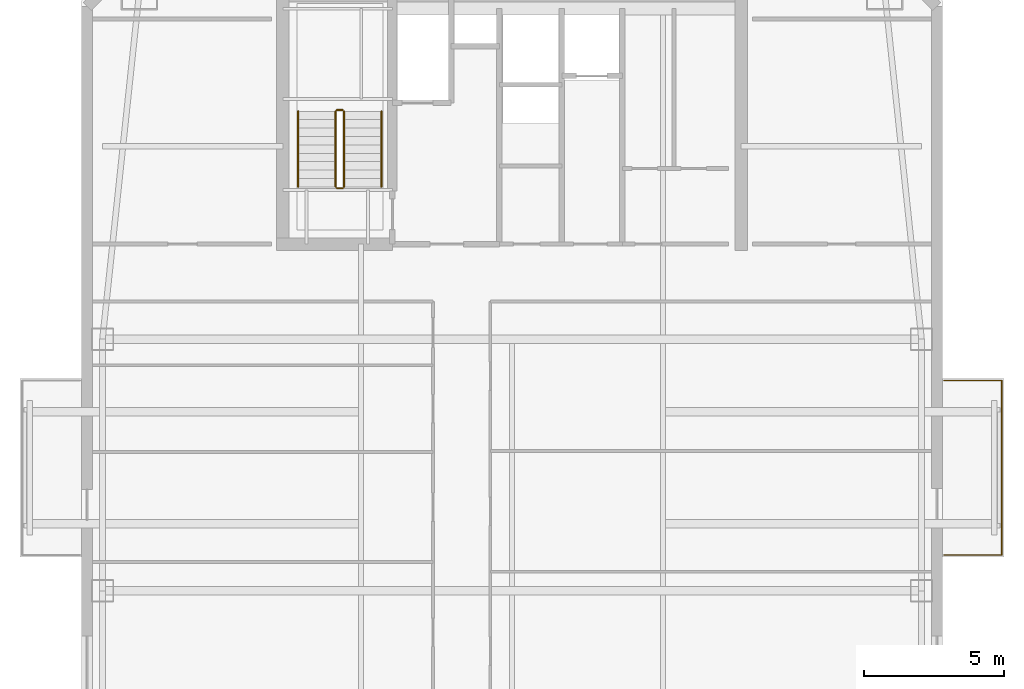
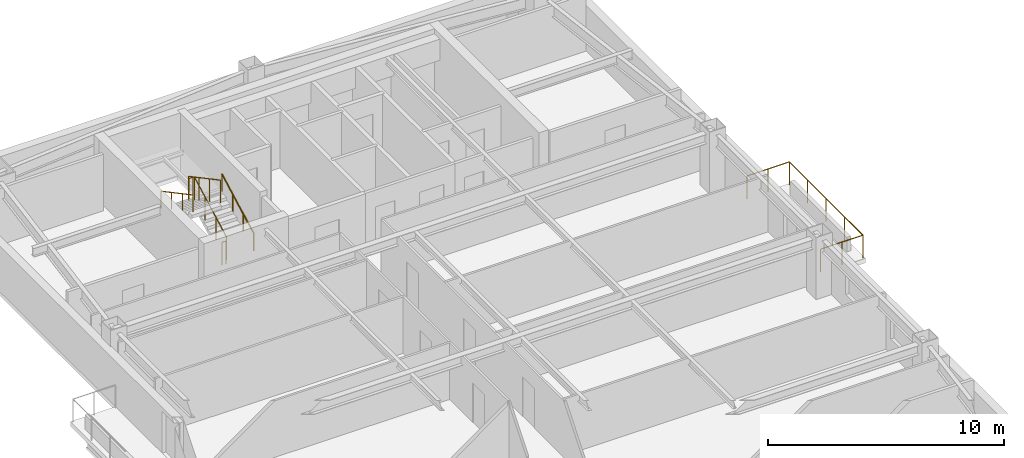
# One storey, part 6 of 6: 7 railings.
"""IFC4 building model written with IfcOpenShell, lengths in metres."""

from ifc_helpers import new_model, si_unit, direction, frame, origin, origin_2d, place, context, subcontext, project, spatial, circle, extrude, material, type_object, element, save


model = new_model("IFC4")

# Units and contexts
model_context = context("Model", 3, precision=1e-05, world=origin(), true_north=direction((0.0, 1.0)))
body_context = subcontext(model_context, "Body", "Model", "MODEL_VIEW")
ifc_project = project(units=[si_unit("LENGTHUNIT", "METRE"), si_unit("AREAUNIT", "SQUARE_METRE"), si_unit("VOLUMEUNIT", "CUBIC_METRE"), si_unit("PLANEANGLEUNIT", "RADIAN"), si_unit("MASSUNIT", "GRAM", prefix="KILO")], contexts=[model_context])

# Site, building, storey
site_placement = place(None, origin())
site = spatial("IfcSite", under=ifc_project, at=site_placement, CompositionType="ELEMENT")
building_placement = place(site_placement, origin())
building = spatial("IfcBuilding", under=site, at=building_placement, Name="Qiaolan Cultural Towers", CompositionType="ELEMENT")
storey_placement = place(building_placement, frame((0.0, 0.0, 260.0)))
storey = spatial("IfcBuildingStorey", under=building, at=storey_placement, Name="L71", CompositionType="ELEMENT", Elevation=260.0)

# Railings
ifc_material_1 = material(Name="Laminated SentryGlas & Stainless Steel S31608 Balustrade", Category="steel")
railing_type_1 = type_object("IfcRailingType", Name="GRD-TERR-1200", PredefinedType="BALUSTRADE", material=ifc_material_1)
railing_1_placement = place(storey_placement, frame((45.449951171875, 35.280029296875, 0.0)))
element("IfcRailing", 1, at=railing_1_placement, inside=storey, type_object=railing_type_1, Name="L71 T1 Tree Balcony Guardrail E", PredefinedType="BALUSTRADE", context=body_context, shape_type="SweptSolid", body=[
    extrude(circle(Radius=0.02392578125, at=origin_2d()), frame((0.0, 0.0, 1.17578125), z_axis=(1.0, 0.0, 0.0), x_axis=(0.0, 1.0, 0.0)), (0.0, 0.0, 1.0), 2.070068359375),
    extrude(circle(Radius=0.02392578125, at=origin_2d()), frame((2.070068359375, 0.0, 1.17578125), z_axis=(0.0, 1.0, 0.0), x_axis=(-1.0, 0.0, 0.0)), (0.0, 0.0, 1.0), 6.239990234375),
    extrude(circle(Radius=0.02392578125, at=origin_2d()), frame((2.070068359375, 6.239990234375, 1.17578125), z_axis=(-1.0, 0.0, 0.0), x_axis=(0.0, -1.0, 0.0)), (0.0, 0.0, 1.0), 2.070068359375),
    extrude(circle(Radius=0.02099609375, at=origin_2d()), origin(), (0.0, 0.0, 1.0), 1.15185546875),
    extrude(circle(Radius=0.02099609375, at=origin_2d()), frame((1.03515625, 0.0, 0.0)), (0.0, 0.0, 1.0), 1.15185546875),
    extrude(circle(Radius=0.02099609375, at=origin_2d()), frame((2.070068359375, 0.0, 0.0)), (0.0, 0.0, 1.0), 1.15185546875),
    extrude(circle(Radius=0.02099609375, at=origin_2d()), frame((2.070068359375, 1.56005859375, 0.0)), (0.0, 0.0, 1.0), 1.15185546875),
    extrude(circle(Radius=0.02099609375, at=origin_2d()), frame((2.070068359375, 3.1201171875, 0.0)), (0.0, 0.0, 1.0), 1.15185546875),
    extrude(circle(Radius=0.02099609375, at=origin_2d()), frame((2.070068359375, 4.679931640625, 0.0)), (0.0, 0.0, 1.0), 1.15185546875),
    extrude(circle(Radius=0.02099609375, at=origin_2d()), frame((2.070068359375, 6.239990234375, 0.0)), (0.0, 0.0, 1.0), 1.15185546875),
    extrude(circle(Radius=0.02099609375, at=origin_2d()), frame((1.03515625, 6.239990234375, 0.0)), (0.0, 0.0, 1.0), 1.15185546875),
    extrude(circle(Radius=0.02099609375, at=origin_2d()), frame((0.0, 6.239990234375, 0.0)), (0.0, 0.0, 1.0), 1.15185546875),
])
ifc_material_2 = material(Name="Galvanized Painted Steel Stair Guardrail", Category="steel")
railing_type_2 = type_object("IfcRailingType", Name="RL-STAIR-GRD", PredefinedType="GUARDRAIL", material=ifc_material_2)
railing_2_placement = place(storey_placement, frame((23.989990234375, 48.449951171875, 0.159912109375)))
element("IfcRailing", 2, at=railing_2_placement, inside=storey, type_object=railing_type_2, Name="L71 ST-W2 stair guard 1", PredefinedType="GUARDRAIL", context=body_context, shape_type="SweptSolid", body=[
    extrude(circle(Radius=0.02392578125, at=origin_2d()), frame((0.0, 0.0, 1.17578125), z_axis=(0.0, 0.882324228566, 0.470642067484), x_axis=(-1.0, 0.0, 0.0)), (0.0, 0.0, 1.0), 3.06005859375),
    extrude(circle(Radius=0.02099609375, at=origin_2d()), origin(), (0.0, 0.0, 1.0), 1.15185546875),
    extrude(circle(Radius=0.02099609375, at=origin_2d()), frame((0.0, 0.89990234375, 0.47998046875)), (0.0, 0.0, 1.0), 1.15185546875),
    extrude(circle(Radius=0.02099609375, at=origin_2d()), frame((0.0, 1.800048828125, 0.960205078125)), (0.0, 0.0, 1.0), 1.15185546875),
    extrude(circle(Radius=0.02099609375, at=origin_2d()), frame((0.0, 2.699951171875, 1.440185546875)), (0.0, 0.0, 1.0), 1.15185546875),
])
railing_3_placement = place(storey_placement, frame((23.93994140625, 51.199951171875, 1.60009765625)))
element("IfcRailing", 3, at=railing_3_placement, inside=storey, type_object=railing_type_2, Name="L71 ST-W2 stair guard 2", PredefinedType="GUARDRAIL", context=body_context, shape_type="SweptSolid", body=[
    extrude(circle(Radius=0.02392578125, at=origin_2d()), frame((0.0, 0.0, 1.17578125), z_axis=(-1.0, 0.0, 0.0), x_axis=(0.0, -1.0, 0.0)), (0.0, 0.0, 1.0), 0.199951171875),
    extrude(circle(Radius=0.02099609375, at=origin_2d()), origin(), (0.0, 0.0, 1.0), 1.15185546875),
    extrude(circle(Radius=0.02099609375, at=origin_2d()), frame((-0.199951171875, 0.0, 0.0)), (0.0, 0.0, 1.0), 1.15185546875),
])
railing_4_placement = place(storey_placement, frame((23.68994140625, 51.14990234375, 1.760009765625)))
element("IfcRailing", 4, at=railing_4_placement, inside=storey, type_object=railing_type_2, Name="L71 ST-W2 stair guard 3", PredefinedType="GUARDRAIL", context=body_context, shape_type="SweptSolid", body=[
    extrude(circle(Radius=0.02392578125, at=origin_2d()), frame((0.0, 0.0, 1.17578125), z_axis=(0.0, -0.882357358376, 0.470579952952), x_axis=(1.0, 0.0, 0.0)), (0.0, 0.0, 1.0), 3.059814453125),
    extrude(circle(Radius=0.02099609375, at=origin_2d()), origin(), (0.0, 0.0, 1.0), 1.15185546875),
    extrude(circle(Radius=0.02099609375, at=origin_2d()), frame((0.0, -0.89990234375, 0.47998046875)), (0.0, 0.0, 1.0), 1.15185546875),
    extrude(circle(Radius=0.02099609375, at=origin_2d()), frame((0.0, -1.800048828125, 0.9599609375)), (0.0, 0.0, 1.0), 1.15185546875),
    extrude(circle(Radius=0.02099609375, at=origin_2d()), frame((0.0, -2.699951171875, 1.43994140625)), (0.0, 0.0, 1.0), 1.15185546875),
])
railing_5_placement = place(storey_placement, frame((23.93994140625, 48.39990234375, 0.0)))
element("IfcRailing", 5, at=railing_5_placement, inside=storey, type_object=railing_type_2, Name="L71 ST-W2 stair guard 4", PredefinedType="GUARDRAIL", context=body_context, shape_type="SweptSolid", body=[
    extrude(circle(Radius=0.02392578125, at=origin_2d()), frame((0.0, 0.0, 1.17578125), z_axis=(-1.0, 0.0, 0.0), x_axis=(0.0, -1.0, 0.0)), (0.0, 0.0, 1.0), 0.199951171875),
    extrude(circle(Radius=0.02099609375, at=origin_2d()), origin(), (0.0, 0.0, 1.0), 1.15185546875),
    extrude(circle(Radius=0.02099609375, at=origin_2d()), frame((-0.199951171875, 0.0, 0.0)), (0.0, 0.0, 1.0), 1.15185546875),
])
ifc_material_3 = material(Name="Stainless Steel S30408 Tubular Handrail", Category="steel")
railing_type_3 = type_object("IfcRailingType", Name="RL-STAIR-HR", PredefinedType="HANDRAIL", material=ifc_material_3)
railing_6_placement = place(storey_placement, frame((25.330078125, 48.449951171875, 0.159912109375)))
element("IfcRailing", 6, at=railing_6_placement, inside=storey, type_object=railing_type_3, Name="L71 ST-W2 stair handrail 1", PredefinedType="HANDRAIL", context=body_context, shape_type="SweptSolid", body=[
    extrude(circle(Radius=0.02392578125, at=origin_2d()), frame((0.0, 0.0, 0.8759765625), z_axis=(0.0, 0.882324228566, 0.470642067484), x_axis=(-1.0, 0.0, 0.0)), (0.0, 0.0, 1.0), 3.06005859375),
    extrude(circle(Radius=0.02099609375, at=origin_2d()), origin(), (0.0, 0.0, 1.0), 0.851806640625),
    extrude(circle(Radius=0.02099609375, at=origin_2d()), frame((0.0, 0.89990234375, 0.47998046875)), (0.0, 0.0, 1.0), 0.851806640625),
    extrude(circle(Radius=0.02099609375, at=origin_2d()), frame((0.0, 1.800048828125, 0.960205078125)), (0.0, 0.0, 1.0), 0.851806640625),
    extrude(circle(Radius=0.02099609375, at=origin_2d()), frame((0.0, 2.699951171875, 1.440185546875)), (0.0, 0.0, 1.0), 0.851806640625),
])
railing_7_placement = place(storey_placement, frame((22.35009765625, 51.14990234375, 1.760009765625)))
element("IfcRailing", 7, at=railing_7_placement, inside=storey, type_object=railing_type_3, Name="L71 ST-W2 stair handrail 2", PredefinedType="HANDRAIL", context=body_context, shape_type="SweptSolid", body=[
    extrude(circle(Radius=0.02392578125, at=origin_2d()), frame((0.0, 0.0, 0.8759765625), z_axis=(0.0, -0.882357358376, 0.470579952952), x_axis=(1.0, 0.0, 0.0)), (0.0, 0.0, 1.0), 3.059814453125),
    extrude(circle(Radius=0.02099609375, at=origin_2d()), origin(), (0.0, 0.0, 1.0), 0.851806640625),
    extrude(circle(Radius=0.02099609375, at=origin_2d()), frame((0.0, -0.89990234375, 0.47998046875)), (0.0, 0.0, 1.0), 0.851806640625),
    extrude(circle(Radius=0.02099609375, at=origin_2d()), frame((0.0, -1.800048828125, 0.9599609375)), (0.0, 0.0, 1.0), 0.851806640625),
    extrude(circle(Radius=0.02099609375, at=origin_2d()), frame((0.0, -2.699951171875, 1.43994140625)), (0.0, 0.0, 1.0), 0.851806640625),
])

save(model, "model.ifc")
